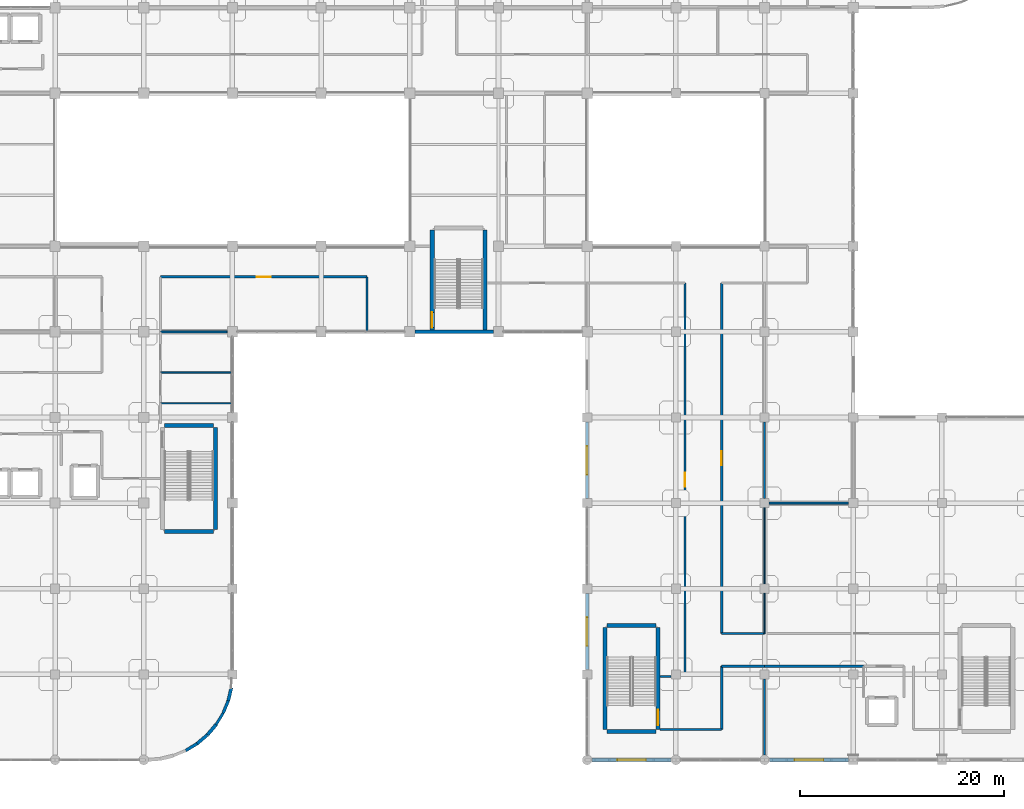
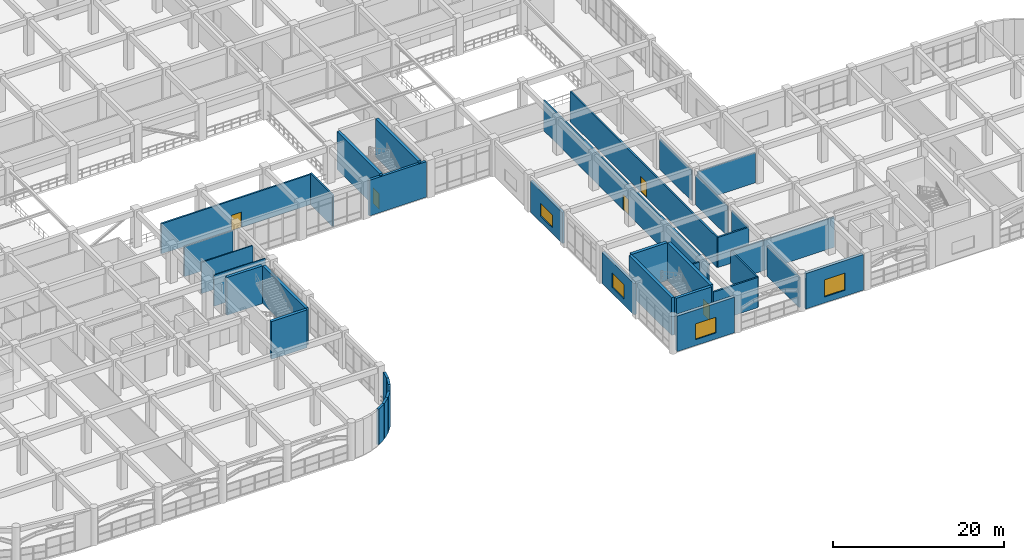
# One storey, part 94 of 114: 38 walls, 5 doors, 4 windows, 9 openings.
"""IFC4 building model written with IfcOpenShell, lengths in metres."""

import ifcopenshell
import ifcopenshell.guid

model = None  # the IFC model being written
_history = None  # IfcOwnerHistory: only IFC2X3 demands one
_inside = {}  # id of a spatial element -> (the spatial element, [elements in it])
_under = {}  # id of a project, library or spatial element -> (it, [spatial elements below it])
_declared = {}  # id of a project -> (the project, [libraries it declares])
_typed = {}  # id of a type object -> (the type object, [elements of that type])
_made_of = {}  # id of a material, layer set ... -> (it, [elements and type objects made of it])


def new_model(schema):
    """Start an empty IFC model of exactly this schema.

    Asked for "IFC4X3", IfcOpenShell would pick the latest addendum, in which some entities
    have other attributes; the version numbers below select the first issue.
    IFC2X3 requires an IfcOwnerHistory on every rooted entity: one is made here for all.
    """
    global model, _history
    if schema == "IFC4X3":
        model = ifcopenshell.file(schema_version=(4, 3, 0, 0))
    else:
        model = ifcopenshell.file(schema=schema)
    _inside.clear()
    _under.clear()
    _declared.clear()
    _typed.clear()
    _made_of.clear()
    _history = None
    if model.schema == "IFC2X3":
        org = make("IfcOrganization", Name="unknown")
        user = make(
            "IfcPersonAndOrganization",
            ThePerson=make("IfcPerson", FamilyName="unknown"),
            TheOrganization=org,
        )
        app = make(
            "IfcApplication",
            ApplicationDeveloper=org,
            Version="unknown",
            ApplicationFullName="unknown",
            ApplicationIdentifier="unknown",
        )
        _history = make(
            "IfcOwnerHistory",
            OwningUser=user,
            OwningApplication=app,
            ChangeAction="ADDED",
            CreationDate=0,
        )
    return model


def make(cls, **values):
    """One entity of the class cls with the attributes given. An attribute that is None is left unset."""
    return model.create_entity(
        cls, **{name: value for name, value in values.items() if value is not None}
    )


def rooted(cls, **values):
    """An entity with a GlobalId (a new one), such as an element, a storey or a relation."""
    return make(cls, GlobalId=ifcopenshell.guid.new(), OwnerHistory=_history, **values)


def si_unit(unit_type, name, prefix=None):
    """IfcSIUnit, for example si_unit("LENGTHUNIT", "METRE", prefix="MILLI")."""
    return make("IfcSIUnit", UnitType=unit_type, Prefix=prefix, Name=name)


def derived_unit(unit_type, elements):
    """IfcDerivedUnit: a product of units, each with its exponent."""
    return make(
        "IfcDerivedUnit",
        Elements=[
            make("IfcDerivedUnitElement", Unit=unit, Exponent=power)
            for unit, power in elements
        ],
        UnitType=unit_type,
    )


def assignment(units):
    """IfcUnitAssignment: the units of a project."""
    return None if units is None else make("IfcUnitAssignment", Units=units)


def point(xyz):
    """IfcCartesianPoint."""
    return None if xyz is None else make("IfcCartesianPoint", Coordinates=xyz)


def direction(xyz):
    """IfcDirection."""
    return None if xyz is None else make("IfcDirection", DirectionRatios=xyz)


def frame(location, z_axis=None, x_axis=None):
    """IfcAxis2Placement3D, a coordinate frame: its origin and axes. An axis left out is left unset."""
    return make(
        "IfcAxis2Placement3D",
        Location=point(location),
        Axis=direction(z_axis),
        RefDirection=direction(x_axis),
    )


def frame_2d(location, x_axis=None):
    """IfcAxis2Placement2D, a coordinate frame in the plane: its origin and x axis."""
    return make(
        "IfcAxis2Placement2D", Location=point(location), RefDirection=direction(x_axis)
    )


def origin():
    """The frame at (0, 0, 0) with its axes left unset."""
    return frame((0.0, 0.0, 0.0))


def place(relative_to, where):
    """IfcLocalPlacement: puts the frame where relative to a parent placement (None: the world)."""
    return make(
        "IfcLocalPlacement", PlacementRelTo=relative_to, RelativePlacement=where
    )


def context(
    kind, dimensions, precision=None, world=None, true_north=None, identifier=None
):
    """IfcGeometricRepresentationContext, for example the 3D "Model" context."""
    return make(
        "IfcGeometricRepresentationContext",
        ContextIdentifier=identifier,
        ContextType=kind,
        CoordinateSpaceDimension=dimensions,
        Precision=precision,
        WorldCoordinateSystem=world,
        TrueNorth=true_north,
    )


def subcontext(parent, identifier, kind, view, scale=None):
    """IfcGeometricRepresentationSubContext, for example "Body" below "Model"."""
    return make(
        "IfcGeometricRepresentationSubContext",
        ContextIdentifier=identifier,
        ContextType=kind,
        ParentContext=parent,
        TargetScale=scale,
        TargetView=view,
    )


def project(units=None, contexts=None):
    """IfcProject with its units and contexts."""
    return rooted(
        "IfcProject",
        Name="project",
        RepresentationContexts=contexts,
        UnitsInContext=assignment(units),
    )


def spatial(cls, under=None, at=None, **own):
    """A site, building, storey or space (cls), placed at a placement, below another one or the project."""
    s = rooted(cls, ObjectPlacement=at, **own)
    if under is not None:
        _under.setdefault(under.id(), (under, []))[1].append(s)
    return s


def profile(cls, at=None, kind="AREA", **sizes):
    """A parametric profile (cls). Its sizes go by their IFC names, for example OverallWidth=200.0."""
    return make(cls, ProfileType=kind, Position=at, **sizes)


def rectangle(**sizes):
    """IfcRectangleProfileDef."""
    return profile("IfcRectangleProfileDef", **sizes)


def extrude(swept, where, along, depth):
    """IfcExtrudedAreaSolid: the profile swept, set in the frame where, extruded along a direction by depth."""
    return make(
        "IfcExtrudedAreaSolid",
        SweptArea=swept,
        Position=where,
        ExtrudedDirection=direction(along),
        Depth=depth,
    )


def shape(context_of_items, identifier, shape_type, items):
    """IfcShapeRepresentation: the items that make up one representation, for example the "Body"."""
    return make(
        "IfcShapeRepresentation",
        ContextOfItems=context_of_items,
        RepresentationIdentifier=identifier,
        RepresentationType=shape_type,
        Items=items,
    )


def material(Name=None, Category=None):
    """IfcMaterial."""
    return make("IfcMaterial", Name=Name, Category=Category)


def layer(
    of_material, thickness, ventilated=None, Name=None, Category=None, Priority=None
):
    """IfcMaterialLayer: one layer of a wall or slab, of a material (None: an air gap)."""
    return make(
        "IfcMaterialLayer",
        Material=of_material,
        LayerThickness=thickness,
        IsVentilated=ventilated,
        Name=Name,
        Category=Category,
        Priority=Priority,
    )


def layer_set(layers, Name=None):
    """IfcMaterialLayerSet."""
    return make("IfcMaterialLayerSet", MaterialLayers=layers, LayerSetName=Name)


def made_of(thing, what):
    """Note that an element or type object is made of a material, layer set ...; save() writes the relation."""
    if what is not None:
        _made_of.setdefault(what.id(), (what, []))[1].append(thing)
    return thing


def type_object(cls, material=None, **own):
    """A type object (cls), such as IfcWallType, which elements share."""
    return made_of(rooted(cls, **own), material)


def element(
    cls,
    number,
    at=None,
    inside=None,
    cuts=None,
    type_object=None,
    material=None,
    context=None,
    identifier="Body",
    shape_type=None,
    held_by="IfcProductDefinitionShape",
    body=None,
    shapes=None,
    **own,
):
    """One element of the class cls, such as IfcWall. Its Tag is "e" and its number.

    at: its placement. inside: the storey or other place that contains it. cuts: it is an
    opening in that element (IfcRelVoidsElement). A single representation is given by context,
    identifier, shape_type and body (its items); several are given by shapes. held_by: the class
    of the entity that holds the representations. save() writes the other relations.
    """
    e = rooted(cls, Tag="e%d" % number, ObjectPlacement=at, **own)
    if body is not None:
        shapes = [shape(context, identifier, shape_type, body)]
    if shapes is not None:
        e.Representation = make(held_by, Representations=shapes)
    if inside is not None:
        _inside.setdefault(inside.id(), (inside, []))[1].append(e)
    if cuts is not None:
        rooted(
            "IfcRelVoidsElement", RelatingBuildingElement=cuts, RelatedOpeningElement=e
        )
    if type_object is not None:
        _typed.setdefault(type_object.id(), (type_object, []))[1].append(e)
    return made_of(e, material)


def fill(opening, filler):
    """IfcRelFillsElement: the door or window that sits in an opening."""
    return rooted(
        "IfcRelFillsElement",
        RelatingOpeningElement=opening,
        RelatedBuildingElement=filler,
    )


def aggregate(whole, parts):
    """IfcRelAggregates: a whole, such as a stair, and the parts it consists of."""
    return rooted("IfcRelAggregates", RelatingObject=whole, RelatedObjects=parts)


def save(model, path):
    """Write the relations noted so far, then the file.

    IfcRelAggregates (storeys below a building ...), IfcRelContainedInSpatialStructure (elements
    in a storey), IfcRelDefinesByType, IfcRelAssociatesMaterial and IfcRelDeclares: one each for
    every whole, place, type object, material and project.
    """
    for whole, parts in _under.values():
        aggregate(whole, parts)
    for where, things in _inside.values():
        rooted(
            "IfcRelContainedInSpatialStructure",
            RelatedElements=things,
            RelatingStructure=where,
        )
    for kind, things in _typed.values():
        rooted("IfcRelDefinesByType", RelatedObjects=things, RelatingType=kind)
    for what, things in _made_of.values():
        rooted("IfcRelAssociatesMaterial", RelatedObjects=things, RelatingMaterial=what)
    for by, libraries in _declared.values():
        rooted("IfcRelDeclares", RelatingContext=by, RelatedDefinitions=libraries)
    model.write(path)


model = new_model("IFC4")

# Units and contexts
model_context = context("Model", 3, precision=1e-05, world=origin(), true_north=direction((0.0, 1.0)))
body_context = subcontext(model_context, "Body", "Model", "MODEL_VIEW")
ifc_project = project(units=[si_unit("LENGTHUNIT", "METRE"), si_unit("AREAUNIT", "SQUARE_METRE"), si_unit("VOLUMEUNIT", "CUBIC_METRE"), si_unit("PLANEANGLEUNIT", "RADIAN"), si_unit("MASSUNIT", "GRAM", prefix="KILO"), derived_unit("THERMALTRANSMITTANCEUNIT", [(si_unit("MASSUNIT", "GRAM", prefix="KILO"), 1), (si_unit("TIMEUNIT", "SECOND"), -3), (si_unit("THERMODYNAMICTEMPERATUREUNIT", "KELVIN"), -1)])], contexts=[model_context])

# Site, building, storey
site_placement = place(None, origin())
site = spatial("IfcSite", under=ifc_project, at=site_placement, CompositionType="ELEMENT")
building_placement = place(site_placement, origin())
building = spatial("IfcBuilding", under=site, at=building_placement, Name="Qinzheling Arcade Emporium", CompositionType="ELEMENT")
storey_placement = place(building_placement, frame((0.0, 0.0, 6.0)))
storey = spatial("IfcBuildingStorey", under=building, at=storey_placement, Name="L02", CompositionType="ELEMENT", Elevation=6.0)

# Wall
ifc_material_1 = material(Name="Double-stud acoustic gypsum board partition")
ifc_layer_1 = layer(ifc_material_1, 0.215087890625, Name="Double-stud acoustic gypsum board partition")
ifc_layer_set_1 = layer_set([ifc_layer_1], Name="Double-stud acoustic gypsum board partition")
wall_type_1 = type_object("IfcWallType", Name="Acoustic Corridor Partition Wall 215", PredefinedType="PARTITIONING", material=ifc_layer_set_1)
wall_1_placement = place(storey_placement, frame((82.800048828125, 42.10009765625, 0.0), z_axis=(0.0, 0.0, 1.0), x_axis=(0.0, 1.0, 0.0)))
element("IfcWall", 1, at=wall_1_placement, inside=storey, type_object=wall_type_1, Name="Interior Wall WL-L02-INT-0328", PredefinedType="PARTITIONING", context=body_context, shape_type="SweptSolid", body=[
    extrude(rectangle(XDim=5.2998046875, YDim=0.215087890625, at=frame_2d((2.64990234375, 0.0))), origin(), (0.0, 0.0, 1.0), 4.4599609375),
])

# Wall, opening, door
wall_2_placement = place(storey_placement, frame((82.800048828125, 47.39990234375, 0.0), z_axis=(0.0, 0.0, 1.0), x_axis=(-1.0, 0.0, 0.0)))
wall_2 = element("IfcWall", 2, at=wall_2_placement, inside=storey, type_object=wall_type_1, Name="Interior Wall WL-L02-INT-0329", PredefinedType="PARTITIONING", context=body_context, shape_type="SweptSolid", body=[
    extrude(rectangle(XDim=20.25, YDim=0.215087890625, at=frame_2d((10.125, 0.0))), origin(), (0.0, 0.0, 1.0), 4.31005859375),
])
opening_1_placement = place(wall_2_placement, frame((9.449951171875, 0.0, 0.0)))
opening_1 = element("IfcOpeningElement", 3, at=opening_1_placement, cuts=wall_2, Name="Opening FD05", PredefinedType="OPENING", context=body_context, shape_type="SweptSolid", body=[
    extrude(rectangle(XDim=1.35009765625, YDim=2.199951171875, at=frame_2d((0.675048828125, 1.10009765625))), frame((0.0, 0.11767578125, 0.0), z_axis=(0.0, -1.0, 0.0), x_axis=(1.0, 0.0, 0.0)), (0.0, 0.0, 1.0), 0.235107421875),
])
ifc_material_2 = material(Name="Class B fire-rated stainless-clad door")
door_type_1 = type_object("IfcDoorType", Name="Kitchen Fire-Rated Service Door 1350x2200", OperationType="NOTDEFINED", PredefinedType="DOOR", material=ifc_material_2)
door_1_placement = place(opening_1_placement, origin())
door_1 = element("IfcDoor", 4, at=door_1_placement, inside=storey, type_object=door_type_1, Name="FD05 Interior Door DR-L02-INT-0097", OperationType="SINGLE_SWING_RIGHT", OverallHeight=2.199951171875, OverallWidth=1.35009765625, PredefinedType="DOOR", context=body_context, shape_type="SweptSolid", body=[
    extrude(rectangle(XDim=1.35009765625, YDim=2.199951171875, at=frame_2d((0.675048828125, 1.10009765625))), frame((0.0, 0.02490234375, 0.0), z_axis=(0.0, -1.0, 0.0), x_axis=(1.0, 0.0, 0.0)), (0.0, 0.0, 1.0), 0.050048828125),
])
fill(opening_1, door_1)

# Wall
wall_3_placement = place(storey_placement, frame((111.550048828125, 8.199951171875, 0.0), z_axis=(0.0, 0.0, 1.0), x_axis=(1.0, 0.0, 0.0)))
element("IfcWall", 5, at=wall_3_placement, inside=storey, type_object=wall_type_1, Name="Interior Wall WL-L02-INT-0343", PredefinedType="PARTITIONING", context=body_context, shape_type="SweptSolid", body=[
    extrude(rectangle(XDim=1.08984375, YDim=0.215087890625, at=frame_2d((0.544921875, 0.0))), origin(), (0.0, 0.0, 1.0), 5.06005859375),
])

# Wall, opening, door
wall_4_placement = place(storey_placement, frame((114.0, 8.199951171875, 0.0), z_axis=(0.0, 0.0, 1.0), x_axis=(0.0, 1.0, 0.0)))
wall_4 = element("IfcWall", 6, at=wall_4_placement, inside=storey, type_object=wall_type_1, Name="Interior Wall WL-L02-INT-0344", PredefinedType="PARTITIONING", context=body_context, shape_type="SweptSolid", body=[
    extrude(rectangle(XDim=38.60009765625, YDim=0.215087890625, at=frame_2d((19.300048828125, 0.0))), origin(), (0.0, 0.0, 1.0), 4.31005859375),
])
opening_2_placement = place(wall_4_placement, frame((18.625, 0.0, 0.0)))
opening_2 = element("IfcOpeningElement", 7, at=opening_2_placement, cuts=wall_4, Name="Opening FD05", PredefinedType="OPENING", context=body_context, shape_type="SweptSolid", body=[
    extrude(rectangle(XDim=1.35009765625, YDim=2.199951171875, at=frame_2d((0.675048828125, 1.10009765625))), frame((0.0, 0.11767578125, 0.0), z_axis=(0.0, -1.0, 0.0), x_axis=(1.0, 0.0, 0.0)), (0.0, 0.0, 1.0), 0.235107421875),
])
door_2_placement = place(opening_2_placement, origin())
door_2 = element("IfcDoor", 8, at=door_2_placement, inside=storey, type_object=door_type_1, Name="FD05 Interior Door DR-L02-INT-0103", OperationType="SINGLE_SWING_RIGHT", OverallHeight=2.199951171875, OverallWidth=1.35009765625, PredefinedType="DOOR", context=body_context, shape_type="SweptSolid", body=[
    extrude(rectangle(XDim=1.35009765625, YDim=2.199951171875, at=frame_2d((0.675048828125, 1.10009765625))), frame((0.0, 0.02490234375, 0.0), z_axis=(0.0, -1.0, 0.0), x_axis=(1.0, 0.0, 0.0)), (0.0, 0.0, 1.0), 0.050048828125),
])
fill(opening_2, door_2)

# Walls
wall_5_placement = place(storey_placement, frame((121.800048828125, 9.199951171875, 0.0), z_axis=(0.0, 0.0, 1.0), x_axis=(-1.0, 0.0, 0.0)))
element("IfcWall", 9, at=wall_5_placement, inside=storey, type_object=wall_type_1, Name="Interior Wall WL-L02-INT-0346", PredefinedType="PARTITIONING", context=body_context, shape_type="SweptSolid", body=[
    extrude(rectangle(XDim=4.199951171875, YDim=0.215087890625, at=frame_2d((2.10009765625, 0.0))), origin(), (0.0, 0.0, 1.0), 4.31005859375),
])
wall_6_placement = place(storey_placement, frame((117.60009765625, 9.199951171875, 0.0), z_axis=(0.0, 0.0, 1.0), x_axis=(0.0, -1.0, 0.0)))
element("IfcWall", 10, at=wall_6_placement, inside=storey, type_object=wall_type_1, Name="Interior Wall WL-L02-INT-0347", PredefinedType="PARTITIONING", context=body_context, shape_type="SweptSolid", body=[
    extrude(rectangle(XDim=6.199951171875, YDim=0.215087890625, at=frame_2d((3.10009765625, 0.0))), origin(), (0.0, 0.0, 1.0), 4.31005859375),
])
wall_7_placement = place(storey_placement, frame((117.60009765625, 3.0, 0.0), z_axis=(0.0, 0.0, 1.0), x_axis=(-1.0, 0.0, 0.0)))
element("IfcWall", 11, at=wall_7_placement, inside=storey, type_object=wall_type_1, Name="Interior Wall WL-L02-INT-0348", PredefinedType="PARTITIONING", context=body_context, shape_type="SweptSolid", body=[
    extrude(rectangle(XDim=6.050048828125, YDim=0.215087890625, at=frame_2d((3.02490234375, 0.0))), origin(), (0.0, 0.0, 1.0), 4.31005859375),
])

# Wall, opening, door
wall_8_placement = place(storey_placement, frame((117.60009765625, 46.800048828125, 0.0), z_axis=(0.0, 0.0, 1.0), x_axis=(0.0, -1.0, 0.0)))
wall_8 = element("IfcWall", 12, at=wall_8_placement, inside=storey, type_object=wall_type_1, Name="Interior Wall WL-L02-INT-0350", PredefinedType="PARTITIONING", context=body_context, shape_type="SweptSolid", body=[
    extrude(rectangle(XDim=34.400146484375, YDim=0.215087890625, at=frame_2d((17.2001953125, 0.0))), origin(), (0.0, 0.0, 1.0), 4.31005859375),
])
opening_3_placement = place(wall_8_placement, frame((16.52490234375, 0.0, 0.0)))
opening_3 = element("IfcOpeningElement", 13, at=opening_3_placement, cuts=wall_8, Name="Opening FD05", PredefinedType="OPENING", context=body_context, shape_type="SweptSolid", body=[
    extrude(rectangle(XDim=1.35009765625, YDim=2.199951171875, at=frame_2d((0.675048828125, 1.10009765625))), frame((0.0, 0.11767578125, 0.0), z_axis=(0.0, -1.0, 0.0), x_axis=(1.0, 0.0, 0.0)), (0.0, 0.0, 1.0), 0.235107421875),
])
door_3_placement = place(opening_3_placement, origin())
door_3 = element("IfcDoor", 14, at=door_3_placement, inside=storey, type_object=door_type_1, Name="FD05 Interior Door DR-L02-INT-0104", OperationType="SINGLE_SWING_LEFT", OverallHeight=2.199951171875, OverallWidth=1.35009765625, PredefinedType="DOOR", context=body_context, shape_type="SweptSolid", body=[
    extrude(rectangle(XDim=1.35009765625, YDim=2.199951171875, at=frame_2d((0.675048828125, 1.10009765625))), frame((0.0, 0.02490234375, 0.0), z_axis=(0.0, -1.0, 0.0), x_axis=(1.0, 0.0, 0.0)), (0.0, 0.0, 1.0), 0.050048828125),
])
fill(opening_3, door_3)

# Walls
wall_9_placement = place(storey_placement, frame((117.60009765625, 12.39990234375, 0.0), z_axis=(0.0, 0.0, 1.0), x_axis=(1.0, 0.0, 0.0)))
element("IfcWall", 15, at=wall_9_placement, inside=storey, type_object=wall_type_1, Name="Interior Wall WL-L02-INT-0351", PredefinedType="PARTITIONING", context=body_context, shape_type="SweptSolid", body=[
    extrude(rectangle(XDim=4.199951171875, YDim=0.215087890625, at=frame_2d((2.10009765625, 0.0))), origin(), (0.0, 0.0, 1.0), 4.31005859375),
])
wall_10_placement = place(storey_placement, frame((131.5, 9.199951171875, 0.0), z_axis=(0.0, 0.0, 1.0), x_axis=(-1.0, 0.0, 0.0)))
element("IfcWall", 16, at=wall_10_placement, inside=storey, type_object=wall_type_1, Name="Interior Wall WL-L02-INT-0358", PredefinedType="PARTITIONING", context=body_context, shape_type="SweptSolid", body=[
    extrude(rectangle(XDim=9.699951171875, YDim=0.215087890625, at=frame_2d((4.85009765625, 0.0))), origin(), (0.0, 0.0, 1.0), 4.294921875),
])
ifc_material_3 = material(Name="Insulated aluminium-clad spandrel wall", Category="aluminium")
ifc_layer_2 = layer(ifc_material_3, 0.260009765625, Name="Insulated aluminium-clad spandrel wall", Category="aluminium")
ifc_layer_set_2 = layer_set([ifc_layer_2], Name="Insulated aluminium-clad spandrel wall")
wall_type_2 = type_object("IfcWallType", Name="Arcade Clerestory Spandrel Wall 260", PredefinedType="STANDARD", material=ifc_layer_set_2)
wall_11_placement = place(storey_placement, frame((68.68408203125, 4.5859375, 0.0), z_axis=(0.0, 0.0, 1.0), x_axis=(-0.522379477954, -0.852713129378, 0.0)))
element("IfcWall", 17, at=wall_11_placement, inside=storey, type_object=wall_type_2, Name="Exterior Wall WL-L02-EW-0102", PredefinedType="STANDARD", context=body_context, shape_type="SweptSolid", body=[
    extrude(rectangle(XDim=1.317138671875, YDim=0.260009765625, at=frame_2d((0.65869140625, 0.0))), origin(), (0.0, 0.0, 1.0), 5.090087890625),
])
ifc_material_4 = material(Name="Galvanised stud back-of-house partition")
ifc_layer_3 = layer(ifc_material_4, 0.1201171875, Name="Galvanised stud back-of-house partition")
ifc_layer_set_3 = layer_set([ifc_layer_3], Name="Galvanised stud back-of-house partition")
wall_type_3 = type_object("IfcWallType", Name="Back-of-House Partition Wall 120", PredefinedType="PARTITIONING", material=ifc_layer_set_3)
wall_12_placement = place(storey_placement, frame((121.800048828125, 24.739990234375, 0.0), z_axis=(0.0, 0.0, 1.0), x_axis=(0.0, -1.0, 0.0)))
element("IfcWall", 18, at=wall_12_placement, inside=storey, type_object=wall_type_3, Name="Interior Wall WL-L02-INT-0406", PredefinedType="PARTITIONING", context=body_context, shape_type="SweptSolid", body=[
    extrude(rectangle(XDim=7.47998046875, YDim=0.1201171875, at=frame_2d((3.739990234375, 0.0))), origin(), (0.0, 0.0, 1.0), 4.31005859375),
])
wall_13_placement = place(storey_placement, frame((121.800048828125, 16.340087890625, 0.0), z_axis=(0.0, 0.0, 1.0), x_axis=(0.0, -1.0, 0.0)))
element("IfcWall", 19, at=wall_13_placement, inside=storey, type_object=wall_type_3, Name="Interior Wall WL-L02-INT-0407", PredefinedType="PARTITIONING", context=body_context, shape_type="SweptSolid", body=[
    extrude(rectangle(XDim=3.940185546875, YDim=0.1201171875, at=frame_2d((1.97021484375, 0.0))), origin(), (0.0, 0.0, 1.0), 4.31005859375),
])
ifc_material_5 = material(Name="Celadon glazed terracotta insulated spandrel", Category="masonry")
ifc_layer_4 = layer(ifc_material_5, 0.340087890625, Name="Celadon glazed terracotta insulated spandrel", Category="masonry")
ifc_layer_set_4 = layer_set([ifc_layer_4], Name="Celadon glazed terracotta insulated spandrel")
wall_type_4 = type_object("IfcWallType", Name="Celadon Spandrel Infill Wall 340", PredefinedType="STANDARD", material=ifc_layer_set_4)
wall_14_placement = place(storey_placement, frame((95.197998046875, 42.0, 0.0), z_axis=(0.0, 0.0, 1.0), x_axis=(-1.0, 0.0, 0.0)))
element("IfcWall", 20, at=wall_14_placement, inside=storey, type_object=wall_type_4, Name="Exterior Wall WL-L02-EW-0099", PredefinedType="STANDARD", context=body_context, shape_type="SweptSolid", body=[
    extrude(rectangle(XDim=7.696044921875, YDim=0.340087890625, at=frame_2d((3.84814453125, 0.0))), origin(), (0.0, 0.0, 1.0), 5.090087890625),
])
wall_15_placement = place(storey_placement, frame((67.99609375, 3.462890625, 0.0), z_axis=(0.0, 0.0, 1.0), x_axis=(-0.649280664237, -0.760548893266, 0.0)))
element("IfcWall", 21, at=wall_15_placement, inside=storey, type_object=wall_type_4, Name="Exterior Wall WL-L02-EW-0103", PredefinedType="STANDARD", context=body_context, shape_type="SweptSolid", body=[
    extrude(rectangle(XDim=1.318603515625, YDim=0.340087890625, at=frame_2d((0.6591796875, 0.0))), origin(), (0.0, 0.0, 1.0), 5.090087890625),
])

# Wall, opening, window
ifc_material_6 = material(Name="Glazed cream terracotta insulated wall", Category="masonry")
ifc_layer_5 = layer(ifc_material_6, 0.320068359375, Name="Glazed cream terracotta insulated wall", Category="masonry")
ifc_layer_set_5 = layer_set([ifc_layer_5], Name="Glazed cream terracotta insulated wall")
wall_type_5 = type_object("IfcWallType", Name="Chicago Frame Infill Wall 320", PredefinedType="STANDARD", material=ifc_layer_set_5)
wall_16_placement = place(storey_placement, frame((104.39990234375, 8.85205078125, 0.0), z_axis=(0.0, 0.0, 1.0), x_axis=(0.0, 1.0, 0.0)))
wall_16 = element("IfcWall", 22, at=wall_16_placement, inside=storey, type_object=wall_type_5, Name="Exterior Wall WL-L02-EW-0096", PredefinedType="STANDARD", context=body_context, shape_type="SweptSolid", body=[
    extrude(rectangle(XDim=7.495849609375, YDim=0.320068359375, at=frame_2d((3.748046875, 0.0))), origin(), (0.0, 0.0, 1.0), 4.455078125),
])
opening_4_placement = place(wall_16_placement, frame((2.347900390625, 0.0, 0.85009765625)))
opening_4 = element("IfcOpeningElement", 23, at=opening_4_placement, cuts=wall_16, Name="Opening WN46", PredefinedType="OPENING", context=body_context, shape_type="SweptSolid", body=[
    extrude(rectangle(XDim=2.800048828125, YDim=2.050048828125, at=frame_2d((1.39990234375, 1.02490234375))), frame((0.0, 0.169921875, 0.0), z_axis=(0.0, -1.0, 0.0), x_axis=(1.0, 0.0, 0.0)), (0.0, 0.0, 1.0), 0.340087890625),
])
ifc_material_7 = material(Name="Thermally broken aluminium frame with solar-control double glazing", Category="aluminium")
window_type_1 = type_object("IfcWindowType", Name="Chicago Tripartite Window 2800x2050", PartitioningType="TRIPLE_PANEL_VERTICAL", PredefinedType="WINDOW", material=ifc_material_7)
window_1_placement = place(opening_4_placement, origin())
window_1 = element("IfcWindow", 24, at=window_1_placement, inside=storey, type_object=window_type_1, Name="WN46 Window WN-L02-0022", OverallHeight=2.050048828125, OverallWidth=2.800048828125, PartitioningType="TRIPLE_PANEL_VERTICAL", PredefinedType="WINDOW", context=body_context, shape_type="SweptSolid", body=[
    extrude(rectangle(XDim=2.800048828125, YDim=2.050048828125, at=frame_2d((1.39990234375, 1.02490234375))), frame((0.0, 0.030029296875, 0.0), z_axis=(0.0, -1.0, 0.0), x_axis=(1.0, 0.0, 0.0)), (0.0, 0.0, 1.0), 0.06005859375),
])
fill(opening_4, window_1)

# Walls
for number, where, z_axis, x_axis, name in (
    (25, (69.4970703125, 7.0859375, 0.0), (0.0, 0.0, 1.0), (-0.233681085976, -0.972313298303, 0.0), "Exterior Wall WL-L02-EW-0100"),
    (26, (67.139892578125, 2.4599609375, 0.0), (0.0, 0.0, 1.0), (-0.760640319893, -0.649173554417, 0.0), "Exterior Wall WL-L02-EW-0104"),
):
    element("IfcWall", number, at=place(storey_placement, frame(where, z_axis=z_axis, x_axis=x_axis)), inside=storey, type_object=wall_type_5, Name=name, PredefinedType="STANDARD", context=body_context, shape_type="SweptSolid", body=[
        extrude(rectangle(XDim=1.318603515625, YDim=0.320068359375, at=frame_2d((0.6591796875, 0.0))), origin(), (0.0, 0.0, 1.0), 5.090087890625),
    ])
ifc_material_8 = material(Name="Ceramic-tiled cement-board partition")
ifc_layer_6 = layer(ifc_material_8, 0.18505859375, Name="Ceramic-tiled cement-board partition")
ifc_layer_set_6 = layer_set([ifc_layer_6], Name="Ceramic-tiled cement-board partition")
wall_type_6 = type_object("IfcWallType", Name="Food Hall Kitchen Partition Wall 185", PredefinedType="PARTITIONING", material=ifc_layer_set_6)
wall_17_placement = place(storey_placement, frame((62.550048828125, 42.0, 0.0), z_axis=(0.0, 0.0, 1.0), x_axis=(1.0, 0.0, 0.0)))
element("IfcWall", 27, at=wall_17_placement, inside=storey, type_object=wall_type_6, Name="Interior Wall WL-L02-INT-0389", PredefinedType="PARTITIONING", context=body_context, shape_type="SweptSolid", body=[
    extrude(rectangle(XDim=6.5400390625, YDim=0.18505859375, at=frame_2d((3.27001953125, 0.0))), origin(), (0.0, 0.0, 1.0), 4.31005859375),
])
wall_18_placement = place(storey_placement, frame((130.0400390625, 25.199951171875, 0.0), z_axis=(0.0, 0.0, 1.0), x_axis=(-1.0, 0.0, 0.0)))
element("IfcWall", 28, at=wall_18_placement, inside=storey, type_object=wall_type_6, Name="Interior Wall WL-L02-INT-0409", PredefinedType="PARTITIONING", context=body_context, shape_type="SweptSolid", body=[
    extrude(rectangle(XDim=7.780029296875, YDim=0.18505859375, at=frame_2d((3.89013671875, 0.0))), origin(), (0.0, 0.0, 1.0), 4.294921875),
])
ifc_material_9 = material(Name="Acoustic gypsum gallery partition")
ifc_layer_7 = layer(ifc_material_9, 0.205078125, Name="Acoustic gypsum gallery partition")
ifc_layer_set_7 = layer_set([ifc_layer_7], Name="Acoustic gypsum gallery partition")
wall_type_7 = type_object("IfcWallType", Name="Gallery Display Partition Wall 205", PredefinedType="PARTITIONING", material=ifc_layer_set_7)
wall_19_placement = place(storey_placement, frame((121.800048828125, 7.93994140625, 0.0), z_axis=(0.0, 0.0, 1.0), x_axis=(0.0, -1.0, 0.0)))
element("IfcWall", 29, at=wall_19_placement, inside=storey, type_object=wall_type_7, Name="Interior Wall WL-L02-INT-0402", PredefinedType="PARTITIONING", context=body_context, shape_type="SweptSolid", body=[
    extrude(rectangle(XDim=7.454833984375, YDim=0.205078125, at=frame_2d((3.7275390625, 0.0))), origin(), (0.0, 0.0, 1.0), 4.31005859375),
])

# Wall, opening, window
ifc_material_10 = material(Name="Glazed cream terracotta on Concrete C40", Category="masonry")
ifc_layer_8 = layer(ifc_material_10, 0.3798828125, Name="Glazed cream terracotta on Concrete C40", Category="masonry")
ifc_layer_set_8 = layer_set([ifc_layer_8], Name="Glazed cream terracotta on Concrete C40")
wall_type_8 = type_object("IfcWallType", Name="Glazed Cream Terracotta Structural Wall 380", PredefinedType="STANDARD", material=ifc_layer_set_8)
wall_20_placement = place(storey_placement, frame((130.048095703125, 0.0, 0.0), z_axis=(0.0, 0.0, 1.0), x_axis=(-1.0, 0.0, 0.0)))
wall_20 = element("IfcWall", 30, at=wall_20_placement, inside=storey, type_object=wall_type_8, Name="Exterior Wall WL-L02-EW-0094", PredefinedType="STANDARD", context=body_context, shape_type="SweptSolid", body=[
    extrude(rectangle(XDim=7.77099609375, YDim=0.3798828125, at=frame_2d((3.885498046875, 0.0))), origin(), (0.0, 0.0, 1.0), 5.090087890625),
])
opening_5_placement = place(wall_20_placement, frame((2.486083984375, 0.0, 0.85009765625)))
opening_5 = element("IfcOpeningElement", 31, at=opening_5_placement, cuts=wall_20, Name="Opening WN44", PredefinedType="OPENING", context=body_context, shape_type="SweptSolid", body=[
    extrude(rectangle(XDim=2.800048828125, YDim=2.449951171875, at=frame_2d((1.39990234375, 1.22509765625))), frame((0.0, 0.199951171875, 0.0), z_axis=(0.0, -1.0, 0.0), x_axis=(1.0, 0.0, 0.0)), (0.0, 0.0, 1.0), 0.39990234375),
])
window_type_2 = type_object("IfcWindowType", Name="Chicago Tripartite Window 2800x2450", PartitioningType="TRIPLE_PANEL_VERTICAL", PredefinedType="WINDOW", material=ifc_material_7)
window_2_placement = place(opening_5_placement, origin())
window_2 = element("IfcWindow", 32, at=window_2_placement, inside=storey, type_object=window_type_2, Name="WN44 Window WN-L02-0020", OverallHeight=2.449951171875, OverallWidth=2.800048828125, PartitioningType="TRIPLE_PANEL_VERTICAL", PredefinedType="WINDOW", context=body_context, shape_type="SweptSolid", body=[
    extrude(rectangle(XDim=2.800048828125, YDim=2.449951171875, at=frame_2d((1.39990234375, 1.22509765625))), frame((0.0, 0.030029296875, 0.0), z_axis=(0.0, -1.0, 0.0), x_axis=(1.0, 0.0, 0.0)), (0.0, 0.0, 1.0), 0.06005859375),
])
fill(opening_5, window_2)

ifc_layer_9 = layer(ifc_material_10, 0.360107421875, Name="Glazed cream terracotta on Concrete C40", Category="masonry")
ifc_layer_set_9 = layer_set([ifc_layer_9], Name="Glazed cream terracotta on Concrete C40")
wall_type_9 = type_object("IfcWallType", Name="Glazed Terracotta Pier Wall 360", PredefinedType="STANDARD", material=ifc_layer_set_9)
wall_21_placement = place(storey_placement, frame((112.623046875, 0.0, 0.0), z_axis=(0.0, 0.0, 1.0), x_axis=(-1.0, 0.0, 0.0)))
wall_21 = element("IfcWall", 33, at=wall_21_placement, inside=storey, type_object=wall_type_9, Name="Exterior Wall WL-L02-EW-0095", PredefinedType="STANDARD", context=body_context, shape_type="SweptSolid", body=[
    extrude(rectangle(XDim=7.74609375, YDim=0.360107421875, at=frame_2d((3.873046875, 0.0))), origin(), (0.0, 0.0, 1.0), 5.090087890625),
])
opening_6_placement = place(wall_21_placement, frame((2.472900390625, 0.0, 0.85009765625)))
opening_6 = element("IfcOpeningElement", 34, at=opening_6_placement, cuts=wall_21, Name="Opening WN45", PredefinedType="OPENING", context=body_context, shape_type="SweptSolid", body=[
    extrude(rectangle(XDim=2.800048828125, YDim=2.25, at=frame_2d((1.39990234375, 1.125))), frame((0.0, 0.18994140625, 0.0), z_axis=(0.0, -1.0, 0.0), x_axis=(1.0, 0.0, 0.0)), (0.0, 0.0, 1.0), 0.380126953125),
])
window_type_3 = type_object("IfcWindowType", Name="Chicago Tripartite Window 2800x2250", PartitioningType="TRIPLE_PANEL_VERTICAL", PredefinedType="WINDOW", material=ifc_material_7)
window_3_placement = place(opening_6_placement, origin())
window_3 = element("IfcWindow", 35, at=window_3_placement, inside=storey, type_object=window_type_3, Name="WN45 Window WN-L02-0021", OverallHeight=2.25, OverallWidth=2.800048828125, PartitioningType="TRIPLE_PANEL_VERTICAL", PredefinedType="WINDOW", context=body_context, shape_type="SweptSolid", body=[
    extrude(rectangle(XDim=2.800048828125, YDim=2.25, at=frame_2d((1.39990234375, 1.125))), frame((0.0, 0.030029296875, 0.0), z_axis=(0.0, -1.0, 0.0), x_axis=(1.0, 0.0, 0.0)), (0.0, 0.0, 1.0), 0.06005859375),
])
fill(opening_6, window_3)

# Walls
ifc_material_11 = material(Name="Concrete C50", Category="concrete")
ifc_layer_10 = layer(ifc_material_11, 0.39990234375, Name="Concrete C50", Category="concrete")
ifc_layer_set_10 = layer_set([ifc_layer_10], Name="Concrete C50")
wall_type_10 = type_object("IfcWallType", Name="RC Stair Core Shear Wall 400 C50", PredefinedType="SHEAR", material=ifc_layer_set_10)
wall_22_placement = place(storey_placement, frame((67.93994140625, 32.60009765625, 0.0), z_axis=(0.0, 0.0, 1.0), x_axis=(0.0, -1.0, 0.0)))
element("IfcWall", 36, at=wall_22_placement, inside=storey, type_object=wall_type_10, Name="Stair Core Wall WL-L02-ST01-EAST", PredefinedType="SHEAR", context=body_context, shape_type="SweptSolid", body=[
    extrude(rectangle(XDim=10.0, YDim=0.39990234375, at=frame_2d((5.0, 0.0))), origin(), (0.0, 0.0, 1.0), 5.39990234375),
])
for number, where, z_axis, x_axis, name in (
    (37, (67.739990234375, 22.39990234375, 0.0), (0.0, 0.0, 1.0), (-1.0, 0.0, 0.0), "Stair Core Wall WL-L02-ST01-SOUTH"),
    (38, (62.949951171875, 32.800048828125, 0.0), (0.0, 0.0, 1.0), (1.0, 0.0, 0.0), "Stair Core Wall WL-L02-ST01-NORTH"),
):
    element("IfcWall", number, at=place(storey_placement, frame(where, z_axis=z_axis, x_axis=x_axis)), inside=storey, type_object=wall_type_10, Name=name, PredefinedType="SHEAR", context=body_context, shape_type="SweptSolid", body=[
        extrude(rectangle(XDim=4.7900390625, YDim=0.39990234375, at=frame_2d((2.39501953125, 0.0))), origin(), (0.0, 0.0, 1.0), 5.39990234375),
    ])

# Wall, opening, door
wall_23_placement = place(storey_placement, frame((89.199951171875, 42.0, 0.0), z_axis=(0.0, 0.0, 1.0), x_axis=(0.0, 1.0, 0.0)))
wall_23 = element("IfcWall", 39, at=wall_23_placement, inside=storey, type_object=wall_type_10, Name="Stair Core Wall WL-L02-ST04-WEST", PredefinedType="SHEAR", context=body_context, shape_type="SweptSolid", body=[
    extrude(rectangle(XDim=10.0, YDim=0.39990234375, at=frame_2d((5.0, 0.0))), origin(), (0.0, 0.0, 1.0), 5.39990234375),
])
opening_7_placement = place(wall_23_placement, frame((0.409912109375, 0.0, 0.0)))
opening_7 = element("IfcOpeningElement", 40, at=opening_7_placement, cuts=wall_23, Name="Opening FD01", PredefinedType="OPENING", context=body_context, shape_type="SweptSolid", body=[
    extrude(rectangle(XDim=1.5, YDim=2.199951171875, at=frame_2d((0.75, 1.10009765625))), frame((0.0, 0.2099609375, 0.0), z_axis=(0.0, -1.0, 0.0), x_axis=(1.0, 0.0, 0.0)), (0.0, 0.0, 1.0), 0.419921875),
])
ifc_material_12 = material(Name="Class A fire-rated steel double door", Category="steel")
door_type_2 = type_object("IfcDoorType", Name="Stairwell Smoke-Proof Fire Door 1500x2200", OperationType="DOUBLE_DOOR_SINGLE_SWING", PredefinedType="DOOR", material=ifc_material_12)
door_4_placement = place(opening_7_placement, origin())
door_4 = element("IfcDoor", 41, at=door_4_placement, inside=storey, type_object=door_type_2, Name="FD01 Stairwell Fire Door DR-L02-ST04-FD", OperationType="DOUBLE_DOOR_SINGLE_SWING", OverallHeight=2.199951171875, OverallWidth=1.5, PredefinedType="DOOR", context=body_context, shape_type="SweptSolid", body=[
    extrude(rectangle(XDim=1.5, YDim=2.199951171875, at=frame_2d((0.75, 1.10009765625))), frame((0.0, 0.02490234375, 0.0), z_axis=(0.0, -1.0, 0.0), x_axis=(1.0, 0.0, 0.0)), (0.0, 0.0, 1.0), 0.050048828125),
])
fill(opening_7, door_4)

# Walls
for number, where, z_axis, x_axis, name in (
    (42, (94.389892578125, 52.0, 0.0), (0.0, 0.0, 1.0), (0.0, -1.0, 0.0), "Stair Core Wall WL-L02-ST04-EAST"),
    (43, (106.155029296875, 3.0, 0.0), (0.0, 0.0, 1.0), (0.0, 1.0, 0.0), "Stair Core Wall WL-L02-ST05-WEST"),
):
    element("IfcWall", number, at=place(storey_placement, frame(where, z_axis=z_axis, x_axis=x_axis)), inside=storey, type_object=wall_type_10, Name=name, PredefinedType="SHEAR", context=body_context, shape_type="SweptSolid", body=[
        extrude(rectangle(XDim=10.0, YDim=0.39990234375, at=frame_2d((5.0, 0.0))), origin(), (0.0, 0.0, 1.0), 5.39990234375),
    ])

# Wall, opening, door
wall_24_placement = place(storey_placement, frame((111.344970703125, 13.0, 0.0), z_axis=(0.0, 0.0, 1.0), x_axis=(0.0, -1.0, 0.0)))
wall_24 = element("IfcWall", 44, at=wall_24_placement, inside=storey, type_object=wall_type_10, Name="Stair Core Wall WL-L02-ST05-EAST", PredefinedType="SHEAR", context=body_context, shape_type="SweptSolid", body=[
    extrude(rectangle(XDim=10.0, YDim=0.39990234375, at=frame_2d((5.0, 0.0))), origin(), (0.0, 0.0, 1.0), 5.39990234375),
])
opening_8_placement = place(wall_24_placement, frame((8.090087890625, 0.0, 0.0)))
opening_8 = element("IfcOpeningElement", 45, at=opening_8_placement, cuts=wall_24, Name="Opening FD01", PredefinedType="OPENING", context=body_context, shape_type="SweptSolid", body=[
    extrude(rectangle(XDim=1.5, YDim=2.199951171875, at=frame_2d((0.75, 1.10009765625))), frame((0.0, 0.2099609375, 0.0), z_axis=(0.0, -1.0, 0.0), x_axis=(1.0, 0.0, 0.0)), (0.0, 0.0, 1.0), 0.419921875),
])
door_5_placement = place(opening_8_placement, origin())
door_5 = element("IfcDoor", 46, at=door_5_placement, inside=storey, type_object=door_type_2, Name="FD01 Stairwell Fire Door DR-L02-ST05-FD", OperationType="DOUBLE_DOOR_SINGLE_SWING", OverallHeight=2.199951171875, OverallWidth=1.5, PredefinedType="DOOR", context=body_context, shape_type="SweptSolid", body=[
    extrude(rectangle(XDim=1.5, YDim=2.199951171875, at=frame_2d((0.75, 1.10009765625))), frame((0.0, 0.02490234375, 0.0), z_axis=(0.0, -1.0, 0.0), x_axis=(1.0, 0.0, 0.0)), (0.0, 0.0, 1.0), 0.050048828125),
])
fill(opening_8, door_5)

# Walls
for number, where, z_axis, x_axis, name in (
    (47, (111.14501953125, 2.800048828125, 0.0), (0.0, 0.0, 1.0), (-1.0, 0.0, 0.0), "Stair Core Wall WL-L02-ST05-SOUTH"),
    (48, (106.35498046875, 13.199951171875, 0.0), (0.0, 0.0, 1.0), (1.0, 0.0, 0.0), "Stair Core Wall WL-L02-ST05-NORTH"),
):
    element("IfcWall", number, at=place(storey_placement, frame(where, z_axis=z_axis, x_axis=x_axis)), inside=storey, type_object=wall_type_10, Name=name, PredefinedType="SHEAR", context=body_context, shape_type="SweptSolid", body=[
        extrude(rectangle(XDim=4.7900390625, YDim=0.39990234375, at=frame_2d((2.39501953125, 0.0))), origin(), (0.0, 0.0, 1.0), 5.39990234375),
    ])
ifc_material_13 = material(Name="Double-board salon partition")
ifc_layer_11 = layer(ifc_material_13, 0.175048828125, Name="Double-board salon partition")
ifc_layer_set_11 = layer_set([ifc_layer_11], Name="Double-board salon partition")
wall_type_11 = type_object("IfcWallType", Name="Salon Acoustic Partition Wall 175", PredefinedType="PARTITIONING", material=ifc_layer_set_11)
wall_25_placement = place(storey_placement, frame((121.800048828125, 33.139892578125, 0.0), z_axis=(0.0, 0.0, 1.0), x_axis=(0.0, -1.0, 0.0)))
element("IfcWall", 49, at=wall_25_placement, inside=storey, type_object=wall_type_11, Name="Interior Wall WL-L02-INT-0405", PredefinedType="PARTITIONING", context=body_context, shape_type="SweptSolid", body=[
    extrude(rectangle(XDim=7.47998046875, YDim=0.175048828125, at=frame_2d((3.739990234375, 0.0))), origin(), (0.0, 0.0, 1.0), 4.31005859375),
])
ifc_material_14 = material(Name="Steel-stud showroom partition", Category="steel")
ifc_layer_12 = layer(ifc_material_14, 0.159912109375, Name="Steel-stud showroom partition", Category="steel")
ifc_layer_set_12 = layer_set([ifc_layer_12], Name="Steel-stud showroom partition")
wall_type_12 = type_object("IfcWallType", Name="Showroom Partition Wall 160", PredefinedType="PARTITIONING", material=ifc_layer_set_12)
wall_26_placement = place(storey_placement, frame((69.5, 38.0, 0.0), z_axis=(0.0, 0.0, 1.0), x_axis=(-1.0, 0.0, 0.0)))
element("IfcWall", 50, at=wall_26_placement, inside=storey, type_object=wall_type_12, Name="Interior Wall WL-L02-INT-0390", PredefinedType="PARTITIONING", context=body_context, shape_type="SweptSolid", body=[
    extrude(rectangle(XDim=6.949951171875, YDim=0.159912109375, at=frame_2d((3.47509765625, 0.0))), origin(), (0.0, 0.0, 1.0), 4.4599609375),
])
ifc_material_15 = material(Name="Galvanised steel-stud stockroom partition", Category="steel")
ifc_layer_13 = layer(ifc_material_15, 0.114990234375, Name="Galvanised steel-stud stockroom partition", Category="steel")
ifc_layer_set_13 = layer_set([ifc_layer_13], Name="Galvanised steel-stud stockroom partition")
wall_type_13 = type_object("IfcWallType", Name="Storage Cage Partition Wall 115", PredefinedType="PARTITIONING", material=ifc_layer_set_13)
wall_27_placement = place(storey_placement, frame((62.550048828125, 35.0, 0.0), z_axis=(0.0, 0.0, 1.0), x_axis=(1.0, 0.0, 0.0)))
element("IfcWall", 51, at=wall_27_placement, inside=storey, type_object=wall_type_13, Name="Interior Wall WL-L02-INT-0388", PredefinedType="PARTITIONING", context=body_context, shape_type="SweptSolid", body=[
    extrude(rectangle(XDim=6.949951171875, YDim=0.114990234375, at=frame_2d((3.47509765625, 0.0))), origin(), (0.0, 0.0, 1.0), 4.4599609375),
])

# Wall, opening, window
ifc_layer_14 = layer(ifc_material_6, 0.300048828125, Name="Glazed cream terracotta insulated wall", Category="masonry")
ifc_layer_set_14 = layer_set([ifc_layer_14], Name="Glazed cream terracotta insulated wall")
wall_type_14 = type_object("IfcWallType", Name="Terrace Facade Infill Wall 300", PredefinedType="STANDARD", material=ifc_layer_set_14)
wall_28_placement = place(storey_placement, frame((104.39990234375, 25.652099609375, 0.0), z_axis=(0.0, 0.0, 1.0), x_axis=(0.0, 1.0, 0.0)))
wall_28 = element("IfcWall", 52, at=wall_28_placement, inside=storey, type_object=wall_type_14, Name="Exterior Wall WL-L02-EW-0097", PredefinedType="STANDARD", context=body_context, shape_type="SweptSolid", body=[
    extrude(rectangle(XDim=7.495849609375, YDim=0.300048828125, at=frame_2d((3.748046875, 0.0))), origin(), (0.0, 0.0, 1.0), 4.455078125),
])
opening_9_placement = place(wall_28_placement, frame((2.347900390625, 0.0, 0.85009765625)))
opening_9 = element("IfcOpeningElement", 53, at=opening_9_placement, cuts=wall_28, Name="Opening WN47", PredefinedType="OPENING", context=body_context, shape_type="SweptSolid", body=[
    extrude(rectangle(XDim=2.800048828125, YDim=1.85009765625, at=frame_2d((1.39990234375, 0.925048828125))), frame((0.0, 0.16015625, 0.0), z_axis=(0.0, -1.0, 0.0), x_axis=(1.0, 0.0, 0.0)), (0.0, 0.0, 1.0), 0.320068359375),
])
window_type_4 = type_object("IfcWindowType", Name="Chicago Tripartite Window 2800x1850", PartitioningType="TRIPLE_PANEL_VERTICAL", PredefinedType="WINDOW", material=ifc_material_7)
window_4_placement = place(opening_9_placement, origin())
window_4 = element("IfcWindow", 54, at=window_4_placement, inside=storey, type_object=window_type_4, Name="WN47 Window WN-L02-0023", OverallHeight=1.85009765625, OverallWidth=2.800048828125, PartitioningType="TRIPLE_PANEL_VERTICAL", PredefinedType="WINDOW", context=body_context, shape_type="SweptSolid", body=[
    extrude(rectangle(XDim=2.800048828125, YDim=1.85009765625, at=frame_2d((1.39990234375, 0.925048828125))), frame((0.0, 0.030029296875, 0.0), z_axis=(0.0, -1.0, 0.0), x_axis=(1.0, 0.0, 0.0)), (0.0, 0.0, 1.0), 0.06005859375),
])
fill(opening_9, window_4)

# Walls
wall_29_placement = place(storey_placement, frame((69.18896484375, 5.803955078125, 0.0), z_axis=(0.0, 0.0, 1.0), x_axis=(-0.382918679061, -0.923782055047, 0.0)))
element("IfcWall", 55, at=wall_29_placement, inside=storey, type_object=wall_type_14, Name="Exterior Wall WL-L02-EW-0101", PredefinedType="STANDARD", context=body_context, shape_type="SweptSolid", body=[
    extrude(rectangle(XDim=1.318603515625, YDim=0.300048828125, at=frame_2d((0.6591796875, 0.0))), origin(), (0.0, 0.0, 1.0), 5.090087890625),
])
wall_30_placement = place(storey_placement, frame((66.136962890625, 1.60400390625, 0.0), z_axis=(0.0, 0.0, 1.0), x_axis=(-0.852713129378, -0.522379477954, 0.0)))
element("IfcWall", 56, at=wall_30_placement, inside=storey, type_object=wall_type_14, Name="Exterior Wall WL-L02-EW-0105", PredefinedType="STANDARD", context=body_context, shape_type="SweptSolid", body=[
    extrude(rectangle(XDim=1.317138671875, YDim=0.300048828125, at=frame_2d((0.65869140625, 0.0))), origin(), (0.0, 0.0, 1.0), 5.090087890625),
])

save(model, "model.ifc")
